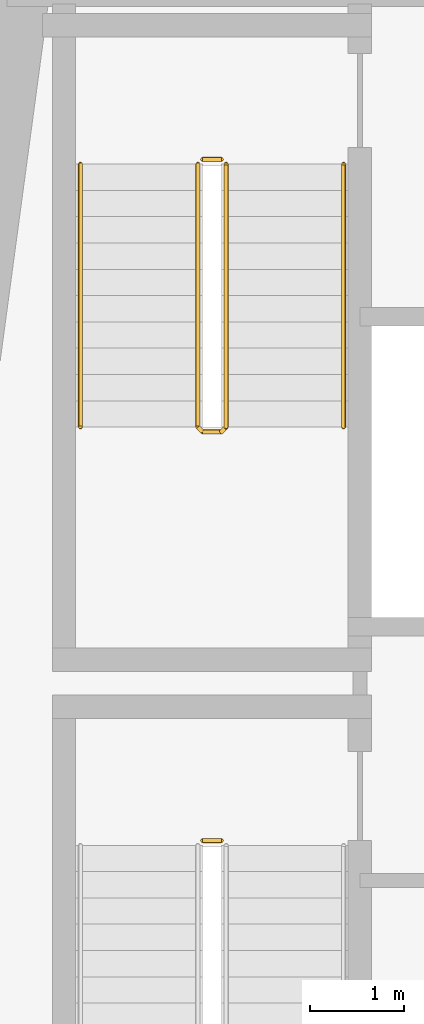
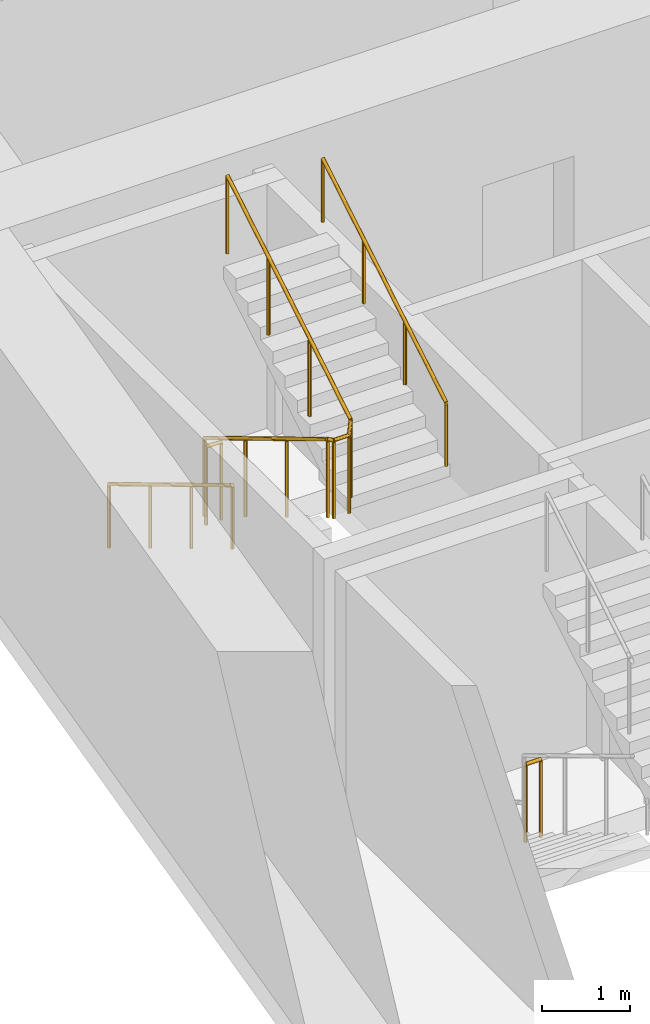
# One storey, part 10 of 13: 5 railings.
"""IFC4 building model written with IfcOpenShell, lengths in metres."""

from ifc_helpers import new_model, si_unit, direction, frame, origin, origin_2d, place, context, subcontext, project, spatial, circle, extrude, material, type_object, element, save


model = new_model("IFC4")

# Units and contexts
model_context = context("Model", 3, precision=1e-05, world=origin(), true_north=direction((0.0, 1.0)))
body_context = subcontext(model_context, "Body", "Model", "MODEL_VIEW")
ifc_project = project(units=[si_unit("LENGTHUNIT", "METRE"), si_unit("AREAUNIT", "SQUARE_METRE"), si_unit("VOLUMEUNIT", "CUBIC_METRE"), si_unit("PLANEANGLEUNIT", "RADIAN"), si_unit("MASSUNIT", "GRAM", prefix="KILO")], contexts=[model_context])

# Site, building, storey
site_placement = place(None, origin())
site = spatial("IfcSite", under=ifc_project, at=site_placement, CompositionType="ELEMENT")
building_placement = place(site_placement, origin())
building = spatial("IfcBuilding", under=site, at=building_placement, Name="Candeia Pilgrim Tower and Theatre", CompositionType="ELEMENT")
storey_placement = place(building_placement, frame((0.0, 0.0, 102.10009765625)))
storey = spatial("IfcBuildingStorey", under=building, at=storey_placement, Name="L23", CompositionType="ELEMENT", Elevation=102.10009765625)

# Railings
ifc_material_1 = material(Name="Stainless steel balustrade", Category="steel")
railing_type_1 = type_object("IfcRailingType", Name="RL-GUARD-1100", PredefinedType="GUARDRAIL", material=ifc_material_1)
railing_1_placement = place(storey_placement, frame((91.152099609375, 122.52490234375, 0.0)))
element("IfcRailing", 1, at=railing_1_placement, inside=storey, type_object=railing_type_1, Name="L23 ST1 stair guard 2", PredefinedType="GUARDRAIL", context=body_context, shape_type="SweptSolid", body=[
    extrude(circle(Radius=0.02392578125, at=origin_2d()), frame((0.0, 0.0, 1.076171875), z_axis=(1.0, 0.0, 0.0), x_axis=(0.0, 1.0, 0.0)), (0.0, 0.0, 1.0), 0.199951171875),
    extrude(circle(Radius=0.02099609375, at=origin_2d()), origin(), (0.0, 0.0, 1.0), 1.052001953125),
    extrude(circle(Radius=0.02099609375, at=origin_2d()), frame((0.199951171875, 0.0, 0.0)), (0.0, 0.0, 1.0), 1.052001953125),
])
railing_2_placement = place(storey_placement, frame((91.10205078125, 129.72509765625, 0.16796875)))
element("IfcRailing", 2, at=railing_2_placement, inside=storey, type_object=railing_type_1, Name="L23 ST2 stair guard 1", PredefinedType="GUARDRAIL", context=body_context, shape_type="SweptSolid", body=[
    extrude(circle(Radius=0.02392578125, at=origin_2d()), frame((0.0, 0.0, 1.076171875), z_axis=(0.0, -0.857242210791, 0.514913383045), x_axis=(1.0, 0.0, 0.0)), (0.0, 0.0, 1.0), 3.266357421875),
    extrude(circle(Radius=0.02392578125, at=origin_2d()), frame((0.0, -2.800048828125, 2.7578125), z_axis=(0.707106781187, -0.707106781187, 0.0), x_axis=(0.707106781187, 0.707106781187, 0.0)), (0.0, 0.0, 1.0), 0.07080078125),
    extrude(circle(Radius=0.02392578125, at=origin_2d()), frame((0.050048828125, -2.85009765625, 2.7578125), z_axis=(1.0, 0.0, 0.0), x_axis=(0.0, 1.0, 0.0)), (0.0, 0.0, 1.0), 0.199951171875),
    extrude(circle(Radius=0.02392578125, at=origin_2d()), frame((0.25, -2.85009765625, 2.7578125), z_axis=(0.274243871929, 0.274243871929, 0.92172696468), x_axis=(-0.707106781187, 0.707106781187, 0.0)), (0.0, 0.0, 1.0), 0.1826171875),
    extrude(circle(Radius=0.02392578125, at=origin_2d()), frame((0.300048828125, -2.800048828125, 2.92626953125), z_axis=(0.0, 0.857242210791, 0.514913383045), x_axis=(-1.0, 0.0, 0.0)), (0.0, 0.0, 1.0), 3.266357421875),
    extrude(circle(Radius=0.02099609375, at=origin_2d()), origin(), (0.0, 0.0, 1.0), 1.052001953125),
    extrude(circle(Radius=0.02099609375, at=origin_2d()), frame((0.0, -0.933349609375, 0.560546875)), (0.0, 0.0, 1.0), 1.052001953125),
    extrude(circle(Radius=0.02099609375, at=origin_2d()), frame((0.0, -1.86669921875, 1.121337890625)), (0.0, 0.0, 1.0), 1.052001953125),
    extrude(circle(Radius=0.02099609375, at=origin_2d()), frame((0.0, -2.800048828125, 1.681884765625)), (0.0, 0.0, 1.0), 1.052001953125),
    extrude(circle(Radius=0.02099609375, at=origin_2d()), frame((0.050048828125, -2.85009765625, 1.681884765625)), (0.0, 0.0, 1.0), 1.052001953125),
    extrude(circle(Radius=0.02099609375, at=origin_2d()), frame((0.25, -2.85009765625, 1.681884765625)), (0.0, 0.0, 1.0), 1.052001953125),
    extrude(circle(Radius=0.02099609375, at=origin_2d()), frame((0.300048828125, -2.800048828125, 1.85009765625)), (0.0, 0.0, 1.0), 1.052001953125),
    extrude(circle(Radius=0.02099609375, at=origin_2d()), frame((0.300048828125, -1.86669921875, 2.41064453125)), (0.0, 0.0, 1.0), 1.052001953125),
    extrude(circle(Radius=0.02099609375, at=origin_2d()), frame((0.300048828125, -0.933349609375, 2.971435546875)), (0.0, 0.0, 1.0), 1.052001953125),
    extrude(circle(Radius=0.02099609375, at=origin_2d()), frame((0.300048828125, 0.0, 3.531982421875)), (0.0, 0.0, 1.0), 1.052001953125),
])
railing_3_placement = place(storey_placement, frame((91.152099609375, 129.77490234375, 0.0)))
element("IfcRailing", 3, at=railing_3_placement, inside=storey, type_object=railing_type_1, Name="L23 ST2 stair guard 2", PredefinedType="GUARDRAIL", context=body_context, shape_type="SweptSolid", body=[
    extrude(circle(Radius=0.02392578125, at=origin_2d()), frame((0.0, 0.0, 1.076171875), z_axis=(1.0, 0.0, 0.0), x_axis=(0.0, 1.0, 0.0)), (0.0, 0.0, 1.0), 0.199951171875),
    extrude(circle(Radius=0.02099609375, at=origin_2d()), origin(), (0.0, 0.0, 1.0), 1.052001953125),
    extrude(circle(Radius=0.02099609375, at=origin_2d()), frame((0.199951171875, 0.0, 0.0)), (0.0, 0.0, 1.0), 1.052001953125),
])
ifc_material_2 = material(Name="Stainless steel handrail", Category="steel")
railing_type_2 = type_object("IfcRailingType", Name="RL-HANDRAIL-900", PredefinedType="HANDRAIL", material=ifc_material_2)
railing_4_placement = place(storey_placement, frame((89.85205078125, 129.72509765625, 0.16796875)))
element("IfcRailing", 4, at=railing_4_placement, inside=storey, type_object=railing_type_2, Name="L23 ST2 stair handrail 1", PredefinedType="HANDRAIL", context=body_context, shape_type="SweptSolid", body=[
    extrude(circle(Radius=0.02392578125, at=origin_2d()), frame((0.0, 0.0, 0.8759765625), z_axis=(0.0, -0.857242210791, 0.514913383045), x_axis=(1.0, 0.0, 0.0)), (0.0, 0.0, 1.0), 3.266357421875),
    extrude(circle(Radius=0.02099609375, at=origin_2d()), origin(), (0.0, 0.0, 1.0), 0.851806640625),
    extrude(circle(Radius=0.02099609375, at=origin_2d()), frame((0.0, -0.933349609375, 0.560546875)), (0.0, 0.0, 1.0), 0.851806640625),
    extrude(circle(Radius=0.02099609375, at=origin_2d()), frame((0.0, -1.86669921875, 1.121337890625)), (0.0, 0.0, 1.0), 0.851806640625),
    extrude(circle(Radius=0.02099609375, at=origin_2d()), frame((0.0, -2.800048828125, 1.681884765625)), (0.0, 0.0, 1.0), 0.851806640625),
])
railing_5_placement = place(storey_placement, frame((92.652099609375, 126.925048828125, 2.01806640625)))
element("IfcRailing", 5, at=railing_5_placement, inside=storey, type_object=railing_type_2, Name="L23 ST2 stair handrail 2", PredefinedType="HANDRAIL", context=body_context, shape_type="SweptSolid", body=[
    extrude(circle(Radius=0.02392578125, at=origin_2d()), frame((0.0, 0.0, 0.8759765625), z_axis=(0.0, 0.857242210791, 0.514913383045), x_axis=(-1.0, 0.0, 0.0)), (0.0, 0.0, 1.0), 3.266357421875),
    extrude(circle(Radius=0.02099609375, at=origin_2d()), origin(), (0.0, 0.0, 1.0), 0.851806640625),
    extrude(circle(Radius=0.02099609375, at=origin_2d()), frame((0.0, 0.933349609375, 0.560546875)), (0.0, 0.0, 1.0), 0.851806640625),
    extrude(circle(Radius=0.02099609375, at=origin_2d()), frame((0.0, 1.86669921875, 1.121337890625)), (0.0, 0.0, 1.0), 0.851806640625),
    extrude(circle(Radius=0.02099609375, at=origin_2d()), frame((0.0, 2.800048828125, 1.681884765625)), (0.0, 0.0, 1.0), 0.851806640625),
])

save(model, "model.ifc")
